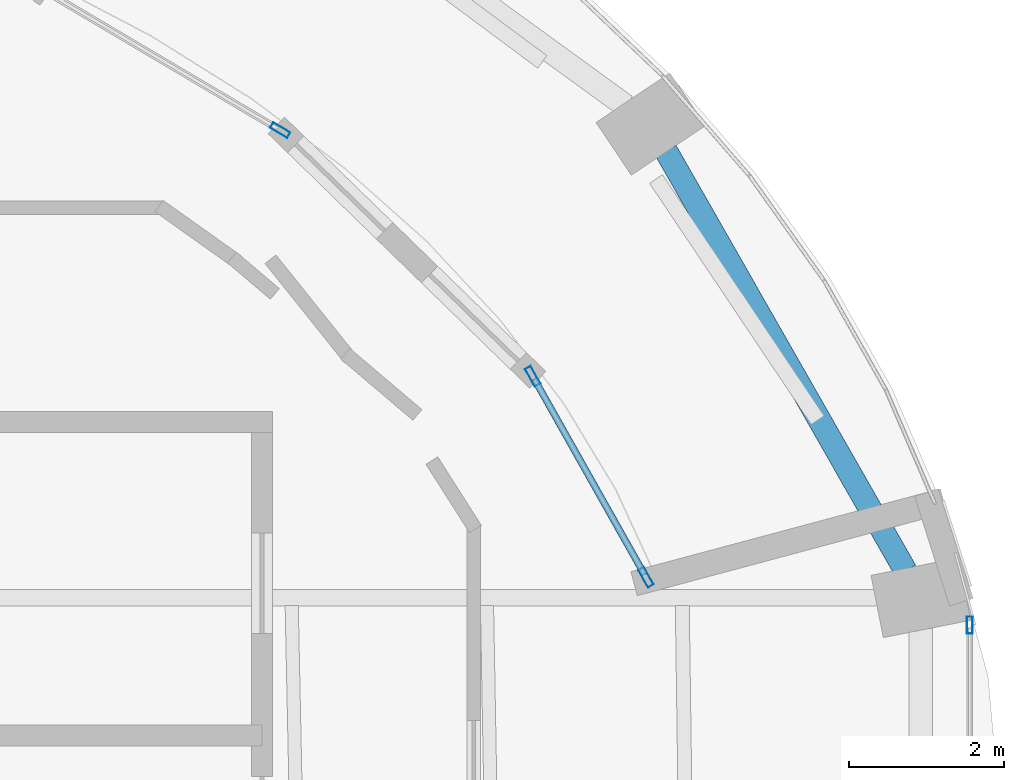
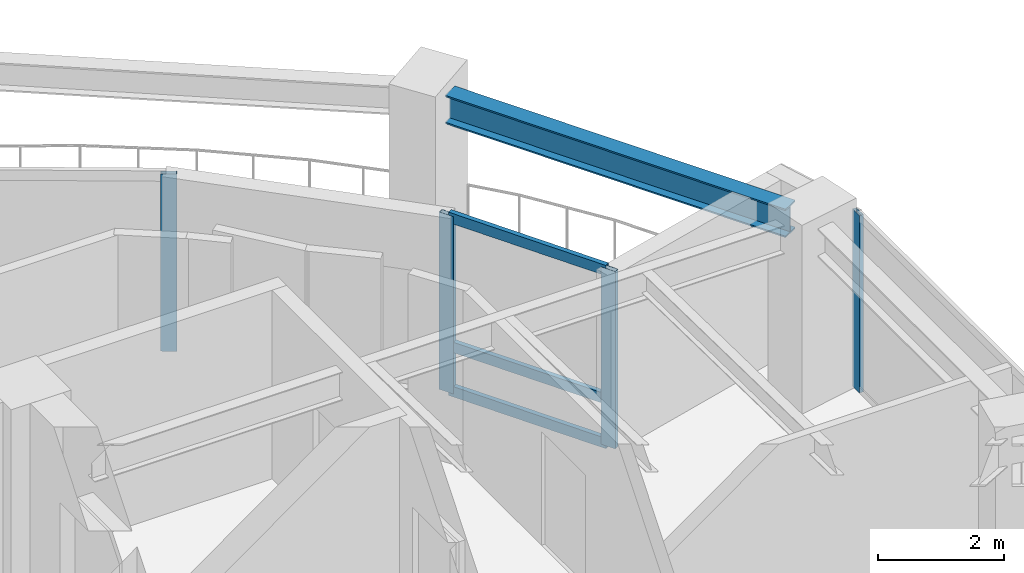
# One storey, part 11 of 19: 7 members, 1 beam, 3 elements without a shape of their own.
"""IFC4 building model written with IfcOpenShell, lengths in metres."""

from ifc_helpers import new_model, si_unit, direction, frame, origin, origin_2d, place, context, subcontext, project, spatial, hollow_rectangle, i_section, extrude, material, layer, layer_set, material_profile, profile_set, type_object, element, aggregate, save


model = new_model("IFC4")

# Units and contexts
model_context = context("Model", 3, precision=1e-05, world=origin(), true_north=direction((0.0, 1.0)))
body_context = subcontext(model_context, "Body", "Model", "MODEL_VIEW")
ifc_project = project(units=[si_unit("LENGTHUNIT", "METRE"), si_unit("AREAUNIT", "SQUARE_METRE"), si_unit("VOLUMEUNIT", "CUBIC_METRE"), si_unit("PLANEANGLEUNIT", "RADIAN"), si_unit("MASSUNIT", "GRAM", prefix="KILO")], contexts=[model_context])

# Site, building, storey
site_placement = place(None, origin())
site = spatial("IfcSite", under=ifc_project, at=site_placement, CompositionType="ELEMENT")
building_placement = place(site_placement, origin())
building = spatial("IfcBuilding", under=site, at=building_placement, Name="Lazwardi Medical Tower", CompositionType="ELEMENT")
storey_placement = place(building_placement, frame((0.0, 0.0, 163.823974609375)))
storey = spatial("IfcBuildingStorey", under=building, at=storey_placement, Name="L42", CompositionType="ELEMENT", Elevation=163.823974609375)

# Beam
ifc_material_1 = material(Name="Steel S355", Category="steel")
ifc_material_profile_1 = material_profile(ifc_material_1, i_section(OverallWidth=0.300048828125, OverallDepth=0.550048828125, WebThickness=0.014892578125, FlangeThickness=0.029052734375, at=origin_2d()), Name="HEB 550")
ifc_profile_set_1 = profile_set([ifc_material_profile_1], Name="Steel S355")
beam_type = type_object("IfcBeamType", Name="BM-RB-Z3", PredefinedType="BEAM", material=ifc_profile_set_1)
beam_placement = place(storey_placement, frame((58.727783203125, 34.05908203125, 3.153076171875), z_axis=(-0.495460926326, 0.868630226554, 0.0), x_axis=(-0.868630226554, -0.495460926326, 0.0)))
element("IfcBeam", 1, at=beam_placement, inside=storey, type_object=beam_type, Name="Ring beam RB-04 B05 L42", PredefinedType="BEAM", context=body_context, shape_type="SweptSolid", body=[
    extrude(i_section(OverallWidth=0.300048828125, OverallDepth=0.550048828125, WebThickness=0.014892578125, FlangeThickness=0.029052734375, at=origin_2d()), origin(), (0.0, 0.0, 1.0), 6.24462890625),
])

# Curtain wall, member
ifc_material_2 = material(Name="Anodised bronze aluminium and solar control glazing", Category="aluminium")
ifc_layer_1 = layer(ifc_material_2, 0.195068359375)
ifc_layer_set_1 = layer_set([ifc_layer_1], Name="Anodised bronze aluminium and solar control glazing")
curtain_wall_type_1 = type_object("IfcCurtainWallType", Name="CW-SYS-03", PredefinedType="NOTDEFINED", material=ifc_layer_set_1)
curtain_wall_1_placement = place(storey_placement, origin())
curtain_wall_1 = element("IfcCurtainWall", 2, at=curtain_wall_1_placement, inside=storey, type_object=curtain_wall_type_1, Name="L42 Unitised bronze curtain wall CW-03", PredefinedType="NOTDEFINED")
ifc_material_3 = material(Name="Anodised bronze aluminium", Category="aluminium")
ifc_material_profile_2 = material_profile(ifc_material_3, hollow_rectangle(XDim=0.074951171875, YDim=0.219970703125, WallThickness=0.00390625, at=origin_2d()), Name="ALU-MULLION 220x75x4")
ifc_profile_set_2 = profile_set([ifc_material_profile_2], Name="Anodised bronze aluminium")
member_type_1 = type_object("IfcMemberType", Name="CW-MUL-01", PredefinedType="MULLION", material=ifc_profile_set_2)
member_1_placement = place(storey_placement, frame((59.5576171875, 33.35791015625, 0.0), z_axis=(0.0, 0.0, 1.0), x_axis=(-1.0, 0.0, 0.0)))
member_1 = element("IfcMember", 3, at=member_1_placement, type_object=member_type_1, Name="CW-03 mullion 2", PredefinedType="MULLION", context=body_context, shape_type="SweptSolid", body=[
    extrude(hollow_rectangle(XDim=0.074951171875, YDim=0.219970703125, WallThickness=0.00390625, at=origin_2d()), origin(), (0.0, 0.0, 1.0), 3.427978515625),
])
aggregate(curtain_wall_1, [member_1])

# Curtain wall, members
ifc_layer_2 = layer(ifc_material_2, 0.239990234375)
ifc_layer_set_2 = layer_set([ifc_layer_2], Name="Anodised bronze aluminium and solar control glazing")
curtain_wall_type_2 = type_object("IfcCurtainWallType", Name="CW-SYS-05", PredefinedType="NOTDEFINED", material=ifc_layer_set_2)
curtain_wall_2_placement = place(storey_placement, origin())
curtain_wall_2 = element("IfcCurtainWall", 4, at=curtain_wall_2_placement, inside=storey, type_object=curtain_wall_type_2, Name="L42 Unitised bronze curtain wall CW-05", PredefinedType="NOTDEFINED")
ifc_material_profile_3 = material_profile(ifc_material_3, hollow_rectangle(XDim=0.0849609375, YDim=0.260009765625, WallThickness=0.0048828125, at=origin_2d()), Name="ALU-MULLION 260x85x5")
ifc_profile_set_3 = profile_set([ifc_material_profile_3], Name="Anodised bronze aluminium")
member_type_2 = type_object("IfcMemberType", Name="CW-MUL-02", PredefinedType="MULLION", material=ifc_profile_set_3)
member_2_placement = place(storey_placement, frame((55.375, 33.9775390625, 0.0), z_axis=(0.0, 0.0, 1.0), x_axis=(-0.87122325606, -0.49088699117, 0.0)))
member_2 = element("IfcMember", 5, at=member_2_placement, type_object=member_type_2, Name="CW-05 mullion 1", PredefinedType="MULLION", context=body_context, shape_type="SweptSolid", body=[
    extrude(hollow_rectangle(XDim=0.0849609375, YDim=0.260009765625, WallThickness=0.0048828125, at=origin_2d()), origin(), (0.0, 0.0, 1.0), 3.427978515625),
])
member_3_placement = place(storey_placement, frame((53.912353515625, 36.573486328125, 0.0), z_axis=(0.0, 0.0, 1.0), x_axis=(-0.87122325606, -0.49088699117, 0.0)))
member_3 = element("IfcMember", 6, at=member_3_placement, type_object=member_type_2, Name="CW-05 mullion 2", PredefinedType="MULLION", context=body_context, shape_type="SweptSolid", body=[
    extrude(hollow_rectangle(XDim=0.0849609375, YDim=0.260009765625, WallThickness=0.0048828125, at=origin_2d()), origin(), (0.0, 0.0, 1.0), 3.427978515625),
])

# Curtain wall, member
curtain_wall_3_placement = place(storey_placement, origin())
curtain_wall_3 = element("IfcCurtainWall", 7, at=curtain_wall_3_placement, inside=storey, type_object=curtain_wall_type_2, Name="L42 Unitised bronze curtain wall CW-05", PredefinedType="NOTDEFINED")
member_4_placement = place(storey_placement, frame((50.64892578125, 39.75146484375, 0.0), z_axis=(0.0, 0.0, 1.0), x_axis=(-0.509570850923, -0.860428700061, 0.0)))
member_4 = element("IfcMember", 8, at=member_4_placement, type_object=member_type_2, Name="CW-05 mullion 1", PredefinedType="MULLION", context=body_context, shape_type="SweptSolid", body=[
    extrude(hollow_rectangle(XDim=0.0849609375, YDim=0.260009765625, WallThickness=0.0048828125, at=origin_2d()), origin(), (0.0, 0.0, 1.0), 3.427978515625),
])
aggregate(curtain_wall_3, [member_4])

# Member
ifc_material_profile_4 = material_profile(ifc_material_3, hollow_rectangle(XDim=0.0849609375, YDim=0.199951171875, WallThickness=0.00439453125, at=origin_2d()), Name="ALU-TRANSOM 200x85x4.5")
ifc_profile_set_4 = profile_set([ifc_material_profile_4], Name="Anodised bronze aluminium")
member_type_3 = type_object("IfcMemberType", Name="CW-TRN-02", PredefinedType="USERDEFINED", material=ifc_profile_set_4)
member_5_placement = place(storey_placement, frame((55.35400390625, 34.0146484375, 0.04248046875), z_axis=(-0.490861767795, 0.871237467581, 0.0), x_axis=(-0.871237467581, -0.490861767795, 0.0)))
member_5 = element("IfcMember", 9, at=member_5_placement, type_object=member_type_3, Name="CW-05 transom 1.1", ObjectType="TRANSOM", PredefinedType="USERDEFINED", context=body_context, shape_type="SweptSolid", body=[
    extrude(hollow_rectangle(XDim=0.0849609375, YDim=0.199951171875, WallThickness=0.00439453125, at=origin_2d()), origin(), (0.0, 0.0, 1.0), 2.894775390625),
])

member_6_placement = place(storey_placement, frame((55.35400390625, 34.0146484375, 0.900146484375), z_axis=(-0.490861767795, 0.871237467581, 0.0), x_axis=(-0.871237467581, -0.490861767795, 0.0)))
member_6 = element("IfcMember", 10, at=member_6_placement, type_object=member_type_3, Name="CW-05 transom 1.2", ObjectType="TRANSOM", PredefinedType="USERDEFINED", context=body_context, shape_type="SweptSolid", body=[
    extrude(hollow_rectangle(XDim=0.0849609375, YDim=0.199951171875, WallThickness=0.00439453125, at=origin_2d()), origin(), (0.0, 0.0, 1.0), 2.894775390625),
])

member_7_placement = place(storey_placement, frame((55.35400390625, 34.0146484375, 3.385498046875), z_axis=(-0.490861767795, 0.871237467581, 0.0), x_axis=(-0.871237467581, -0.490861767795, 0.0)))
member_7 = element("IfcMember", 11, at=member_7_placement, type_object=member_type_3, Name="CW-05 transom 1.3", ObjectType="TRANSOM", PredefinedType="USERDEFINED", context=body_context, shape_type="SweptSolid", body=[
    extrude(hollow_rectangle(XDim=0.0849609375, YDim=0.199951171875, WallThickness=0.00439453125, at=origin_2d()), origin(), (0.0, 0.0, 1.0), 2.894775390625),
])

aggregate(curtain_wall_2, [member_2, member_3, member_5, member_6, member_7])

save(model, "model.ifc")
